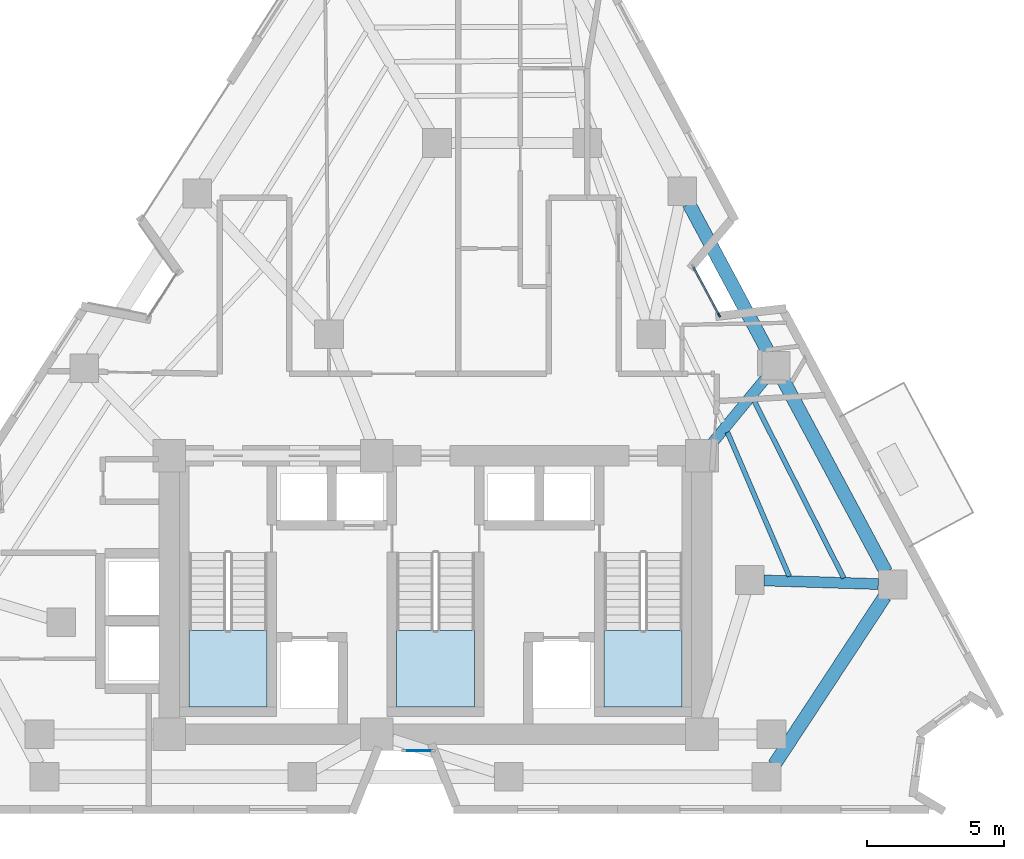
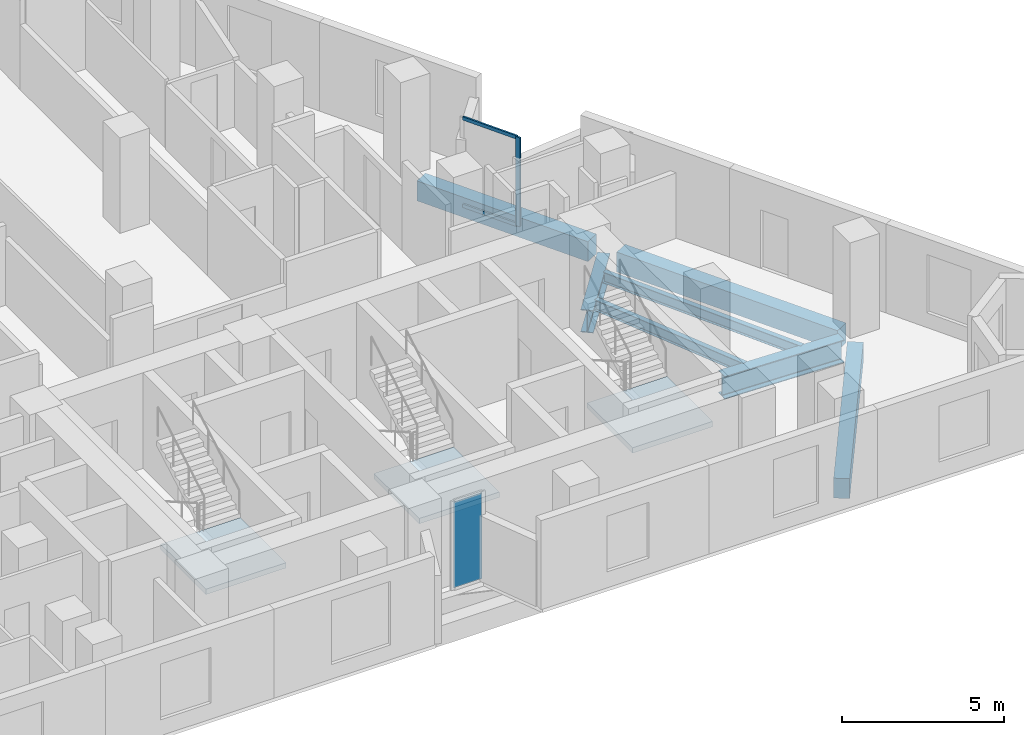
# One storey, part 4 of 12: 7 beams, 3 members, 3 slabs, 1 plate, 5 elements without a shape of their own.
"""IFC4 building model written with IfcOpenShell, lengths in metres."""

from ifc_helpers import new_model, si_unit, direction, frame, origin, origin_2d, place, context, subcontext, project, spatial, polyline, rectangle, i_section, outline, extrude, material, layer, layer_set, material_profile, profile_set, type_object, element, aggregate, save


model = new_model("IFC4")

# Units and contexts
model_context = context("Model", 3, precision=1e-05, world=origin(), true_north=direction((0.0, 1.0)))
body_context = subcontext(model_context, "Body", "Model", "MODEL_VIEW")
ifc_project = project(units=[si_unit("LENGTHUNIT", "METRE"), si_unit("AREAUNIT", "SQUARE_METRE"), si_unit("VOLUMEUNIT", "CUBIC_METRE"), si_unit("PLANEANGLEUNIT", "RADIAN"), si_unit("MASSUNIT", "GRAM", prefix="KILO")], contexts=[model_context])

# Site, building, storey
site_placement = place(None, origin())
site = spatial("IfcSite", under=ifc_project, at=site_placement, CompositionType="ELEMENT")
building_placement = place(site_placement, origin())
building = spatial("IfcBuilding", under=site, at=building_placement, Name="Almagre Mirador Tower", CompositionType="ELEMENT")
storey_placement = place(building_placement, frame((0.0, 0.0, 182.39990234375)))
storey = spatial("IfcBuildingStorey", under=building, at=storey_placement, Name="L47", CompositionType="ELEMENT", Elevation=182.39990234375)

# Beams
ifc_material_1 = material(Name="Steel ASTM A992 Grade 50", Category="steel")
ifc_material_profile_1 = material_profile(ifc_material_1, i_section(OverallWidth=0.178955078125, OverallDepth=0.408935546875, WebThickness=0.0087890625, FlangeThickness=0.014404296875, FilletRadius=0.013916015625, at=origin_2d()), Name="W16X45")
ifc_profile_set_1 = profile_set([ifc_material_profile_1], Name="Steel ASTM A992 Grade 50")
beam_type_1 = type_object("IfcBeamType", Name="BM-JST-W16X45", PredefinedType="JOIST", material=ifc_profile_set_1)
beam_1_placement = place(storey_placement, frame((52.24755859375, 10.265869140625, -0.454345703125), z_axis=(-0.45155923069, 0.892241145195, 0.0), x_axis=(-0.892241145195, -0.45155923069, 0.0)))
element("IfcBeam", 1, at=beam_1_placement, inside=storey, type_object=beam_type_1, Name="L47 secondary floor joist PC05-PC06.1", PredefinedType="JOIST", context=body_context, shape_type="SweptSolid", body=[
    extrude(i_section(OverallWidth=0.178955078125, OverallDepth=0.408935546875, WebThickness=0.0087890625, FlangeThickness=0.014404296875, FilletRadius=0.013916015625, at=origin_2d()), origin(), (0.0, 0.0, 1.0), 7.294677734375),
])
beam_2_placement = place(storey_placement, frame((50.250244140625, 10.3349609375, -0.454345703125), z_axis=(-0.394268360647, 0.918995353521, 0.0), x_axis=(-0.918995353521, -0.394268360647, 0.0)))
element("IfcBeam", 2, at=beam_2_placement, inside=storey, type_object=beam_type_1, Name="L47 secondary floor joist PC05-PC06.3", PredefinedType="JOIST", context=body_context, shape_type="SweptSolid", body=[
    extrude(i_section(OverallWidth=0.178955078125, OverallDepth=0.408935546875, WebThickness=0.0087890625, FlangeThickness=0.014404296875, FilletRadius=0.013916015625, at=origin_2d()), origin(), (0.0, 0.0, 1.0), 5.739501953125),
])
ifc_material_2 = material(Name="Precast concrete C50/60", Category="concrete")
ifc_material_profile_2 = material_profile(ifc_material_2, rectangle(XDim=0.5, YDim=0.75, at=origin_2d()), Name="RC500X750")
ifc_profile_set_2 = profile_set([ifc_material_profile_2], Name="Precast concrete C50/60")
beam_type_2 = type_object("IfcBeamType", Name="BM-SPN-RC500X750", PredefinedType="SPANDREL", material=ifc_profile_set_2)
beam_3_placement = place(storey_placement, frame((49.7041015625, 3.43896484375, -0.625), z_axis=(0.548818634592, 0.835941449101, 0.0), x_axis=(-0.835941449101, 0.548818634592, 0.0)))
element("IfcBeam", 3, at=beam_3_placement, inside=storey, type_object=beam_type_2, Name="L47 perimeter spandrel beam PC04-PC05", PredefinedType="SPANDREL", context=body_context, shape_type="SweptSolid", body=[
    extrude(rectangle(XDim=0.5, YDim=0.75, at=origin_2d()), origin(), (0.0, 0.0, 1.0), 7.364501953125),
])
beam_4_placement = place(storey_placement, frame((53.786376953125, 10.496826171875, -0.625), z_axis=(-0.471728183201, 0.881744022477, 0.0), x_axis=(-0.881744022477, -0.471728183201, 0.0)))
element("IfcBeam", 4, at=beam_4_placement, inside=storey, type_object=beam_type_2, Name="L47 perimeter spandrel beam PC05-PC06", PredefinedType="SPANDREL", context=body_context, shape_type="SweptSolid", body=[
    extrude(rectangle(XDim=0.5, YDim=0.75, at=origin_2d()), origin(), (0.0, 0.0, 1.0), 8.02294921875),
])
beam_5_placement = place(storey_placement, frame((49.50634765625, 18.496826171875, -0.625), z_axis=(-0.471722643875, 0.881746985963, 0.0), x_axis=(-0.881746985963, -0.471722643875, 0.0)))
element("IfcBeam", 5, at=beam_5_placement, inside=storey, type_object=beam_type_2, Name="L47 perimeter spandrel beam PC06-PC07", PredefinedType="SPANDREL", context=body_context, shape_type="SweptSolid", body=[
    extrude(rectangle(XDim=0.5, YDim=0.75, at=origin_2d()), origin(), (0.0, 0.0, 1.0), 6.20849609375),
])
ifc_material_3 = material(Name="Steel ASTM A992 Grade 50", Category="steel")
ifc_material_profile_3 = material_profile(ifc_material_3, i_section(OverallWidth=0.39892578125, OverallDepth=0.85595703125, WebThickness=0.018310546875, FlangeThickness=0.029296875, FilletRadius=0.02490234375, at=origin_2d()), Name="W33X201")
ifc_profile_set_3 = profile_set([ifc_material_profile_3], Name="Steel ASTM A992 Grade 50")
beam_type_3 = type_object("IfcBeamType", Name="BM-STL-W33X201", PredefinedType="BEAM", material=ifc_profile_set_3)
beam_6_placement = place(storey_placement, frame((53.50927734375, 10.050537109375, -0.677978515625), z_axis=(-0.999496710108, 0.031722649376, 0.0), x_axis=(-0.031722649376, -0.999496710108, 0.0)))
element("IfcBeam", 6, at=beam_6_placement, inside=storey, type_object=beam_type_3, Name="L47 radial floor girder PC05-MC3", PredefinedType="BEAM", context=body_context, shape_type="SweptSolid", body=[
    extrude(i_section(OverallWidth=0.39892578125, OverallDepth=0.85595703125, WebThickness=0.018310546875, FlangeThickness=0.029296875, FilletRadius=0.02490234375, at=origin_2d()), origin(), (0.0, 0.0, 1.0), 4.186767578125),
])
beam_7_placement = place(storey_placement, frame((49.42041015625, 17.628662109375, -0.677978515625), z_axis=(-0.635660759113, -0.771968522237, 0.0), x_axis=(0.771968522237, -0.635660759113, 0.0)))
element("IfcBeam", 7, at=beam_7_placement, inside=storey, type_object=beam_type_3, Name="L47 radial floor girder PC06-CC6", PredefinedType="BEAM", context=body_context, shape_type="SweptSolid", body=[
    extrude(i_section(OverallWidth=0.39892578125, OverallDepth=0.85595703125, WebThickness=0.018310546875, FlangeThickness=0.029296875, FilletRadius=0.02490234375, at=origin_2d()), origin(), (0.0, 0.0, 1.0), 3.129150390625),
])

# Curtain wall, members
ifc_material_4 = material(Name="Black anodized aluminium", Category="aluminium")
ifc_layer_1 = layer(ifc_material_4, 0.169921875)
ifc_layer_set_1 = layer_set([ifc_layer_1], Name="Black anodized aluminium")
curtain_wall_type = type_object("IfcCurtainWallType", Name="CW-CRS-SYS", PredefinedType="NOTDEFINED", material=ifc_layer_set_1)
curtain_wall_1_placement = place(storey_placement, origin())
curtain_wall_1 = element("IfcCurtainWall", 8, at=curtain_wall_1_placement, inside=storey, type_object=curtain_wall_type, Name="L47 vertical crease curtain wall 03", PredefinedType="NOTDEFINED")
ifc_material_5 = material(Name="Black anodized aluminium", Category="aluminium")
ifc_material_profile_4 = material_profile(ifc_material_5, rectangle(XDim=0.06005859375, YDim=0.14990234375, at=origin_2d()), Name="CWM60X150")
ifc_profile_set_4 = profile_set([ifc_material_profile_4], Name="Black anodized aluminium")
member_type_1 = type_object("IfcMemberType", Name="MBR-CWM60X150", PredefinedType="MULLION", material=ifc_profile_set_4)
member_1_placement = place(storey_placement, frame((47.682861328125, 19.890380859375, 0.0), z_axis=(0.0, 0.0, 1.0), x_axis=(0.881742992316, 0.47173010875, 0.0)))
member_1 = element("IfcMember", 9, at=member_1_placement, type_object=member_type_1, Name="CW-4 mullion 2", PredefinedType="MULLION", context=body_context, shape_type="SweptSolid", body=[
    extrude(rectangle(XDim=0.06005859375, YDim=0.14990234375, at=origin_2d()), origin(), (0.0, 0.0, 1.0), 3.35009765625),
])
ifc_material_6 = material(Name="Black anodized aluminium", Category="aluminium")
ifc_material_profile_5 = material_profile(ifc_material_6, rectangle(XDim=0.06005859375, YDim=0.1298828125, at=origin_2d()), Name="CWT60X130")
ifc_profile_set_5 = profile_set([ifc_material_profile_5], Name="Black anodized aluminium")
member_type_2 = type_object("IfcMemberType", Name="MBR-CWT60X130", PredefinedType="USERDEFINED", material=ifc_profile_set_5)
member_2_placement = place(storey_placement, frame((46.7392578125, 21.654052734375, 0.030029296875), z_axis=(0.471777732693, -0.881717511981, 0.0), x_axis=(0.881717511981, 0.471777732693, 0.0)))
member_2 = element("IfcMember", 10, at=member_2_placement, type_object=member_type_2, Name="CW-4 transom 1.1", ObjectType="TRANSOM", PredefinedType="USERDEFINED", context=body_context, shape_type="SweptSolid", body=[
    extrude(rectangle(XDim=0.06005859375, YDim=0.1298828125, at=origin_2d()), origin(), (0.0, 0.0, 1.0), 1.969970703125),
])
member_3_placement = place(storey_placement, frame((46.7392578125, 21.654052734375, 3.320068359375), z_axis=(0.471777732693, -0.881717511981, 0.0), x_axis=(0.881717511981, 0.471777732693, 0.0)))
member_3 = element("IfcMember", 11, at=member_3_placement, type_object=member_type_2, Name="CW-4 transom 1.2", ObjectType="TRANSOM", PredefinedType="USERDEFINED", context=body_context, shape_type="SweptSolid", body=[
    extrude(rectangle(XDim=0.06005859375, YDim=0.1298828125, at=origin_2d()), origin(), (0.0, 0.0, 1.0), 1.969970703125),
])
aggregate(curtain_wall_1, [member_1, member_2, member_3])

# Curtain wall, plate
curtain_wall_2_placement = place(storey_placement, origin())
curtain_wall_2 = element("IfcCurtainWall", 12, at=curtain_wall_2_placement, inside=storey, type_object=curtain_wall_type, Name="L47 vertical crease curtain wall 04", PredefinedType="NOTDEFINED")
ifc_material_7 = material(Name="Dark solar-control laminated hurricane glass", Category="glass")
ifc_layer_2 = layer(ifc_material_7, 0.028076171875)
ifc_layer_set_2 = layer_set([ifc_layer_2], Name="Dark solar-control laminated hurricane glass")
plate_type = type_object("IfcPlateType", Name="PLT-GLZ-28", PredefinedType="CURTAIN_PANEL", material=ifc_layer_set_2)
plate_placement = place(storey_placement, frame((36.677490234375, 3.949951171875, 0.06005859375), z_axis=(0.0, 0.0, 1.0), x_axis=(-1.0, 0.0, 0.0)))
plate = element("IfcPlate", 13, at=plate_placement, type_object=plate_type, Name="CW-4 panel 1.1", PredefinedType="CURTAIN_PANEL", context=body_context, shape_type="SweptSolid", body=[
    extrude(rectangle(XDim=1.014892578125, YDim=0.028076171875, at=origin_2d()), origin(), (0.0, 0.0, 1.0), 3.22998046875),
])
aggregate(curtain_wall_2, [plate])

# Stair, slab
ifc_material_8 = material(Name="Concrete C45/55", Category="concrete")
stair_type = type_object("IfcStairType", Name="STR-DL-3600", PredefinedType="HALF_TURN_STAIR", material=ifc_material_8)
stair_1_placement = place(storey_placement, origin())
stair_1 = element("IfcStair", 14, at=stair_1_placement, inside=storey, type_object=stair_type, Name="L47 Protected exit stair ST-1", PredefinedType="HALF_TURN_STAIR")
ifc_material_9 = material(Name="Concrete C45/55", Category="concrete")
ifc_layer_3 = layer(ifc_material_9, 0.199951171875)
ifc_layer_set_3 = layer_set([ifc_layer_3], Name="Concrete C45/55")
slab_type = type_object("IfcSlabType", Name="SLB-LND-200", PredefinedType="LANDING", material=ifc_layer_set_3)
slab_1_placement = place(storey_placement, frame((0.0, 0.0, 1.60009765625)))
slab_1 = element("IfcSlab", 15, at=slab_1_placement, type_object=slab_type, Name="ST-1 landing 1", PredefinedType="LANDING", context=body_context, shape_type="SweptSolid", body=[
    extrude(outline(polyline([(28.27490234375, 8.35009765625), (28.27490234375, 5.550048828125), (31.125, 5.550048828125), (31.125, 8.35009765625), (28.27490234375, 8.35009765625)])), origin(), (0.0, 0.0, 1.0), 0.199951171875),
])
aggregate(stair_1, [slab_1])

stair_2_placement = place(storey_placement, origin())
stair_2 = element("IfcStair", 16, at=stair_2_placement, inside=storey, type_object=stair_type, Name="L47 Protected exit stair ST-2", PredefinedType="HALF_TURN_STAIR")
slab_2_placement = place(storey_placement, frame((0.0, 0.0, 1.60009765625)))
slab_2 = element("IfcSlab", 17, at=slab_2_placement, type_object=slab_type, Name="ST-2 landing 1", PredefinedType="LANDING", context=body_context, shape_type="SweptSolid", body=[
    extrude(outline(polyline([(35.875, 8.35009765625), (35.875, 5.550048828125), (38.72509765625, 5.550048828125), (38.72509765625, 8.35009765625), (35.875, 8.35009765625)])), origin(), (0.0, 0.0, 1.0), 0.199951171875),
])
aggregate(stair_2, [slab_2])

stair_3_placement = place(storey_placement, origin())
stair_3 = element("IfcStair", 18, at=stair_3_placement, inside=storey, type_object=stair_type, Name="L47 Protected exit stair ST-3", PredefinedType="HALF_TURN_STAIR")
slab_3_placement = place(storey_placement, frame((0.0, 0.0, 1.60009765625)))
slab_3 = element("IfcSlab", 19, at=slab_3_placement, type_object=slab_type, Name="ST-3 landing 1", PredefinedType="LANDING", context=body_context, shape_type="SweptSolid", body=[
    extrude(outline(polyline([(43.47509765625, 8.35009765625), (43.47509765625, 5.550048828125), (46.324951171875, 5.550048828125), (46.324951171875, 8.35009765625), (43.47509765625, 8.35009765625)])), origin(), (0.0, 0.0, 1.0), 0.199951171875),
])
aggregate(stair_3, [slab_3])

save(model, "model.ifc")
